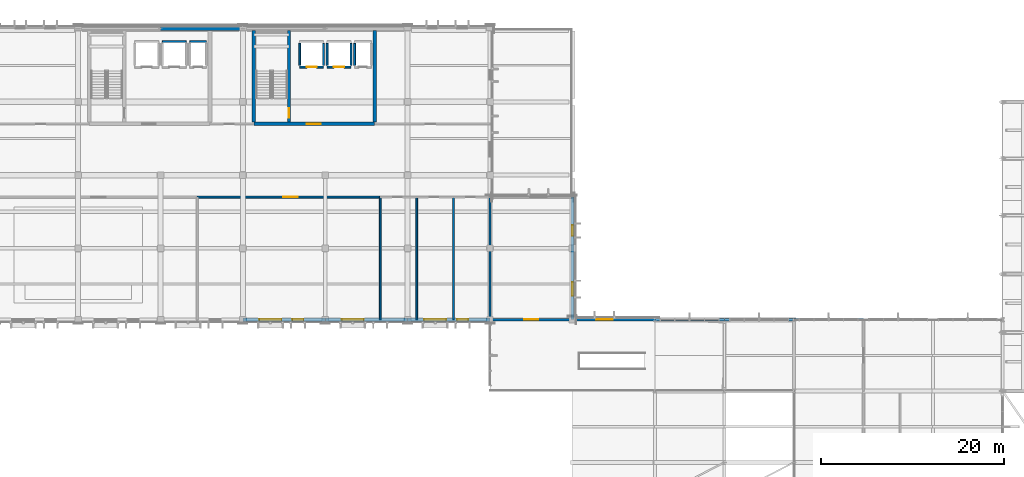
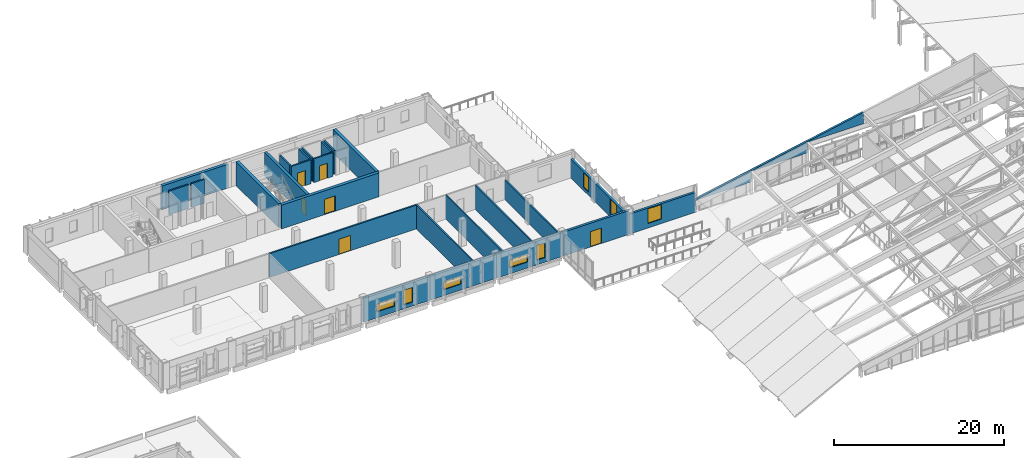
# One storey, part 53 of 73: 28 walls, 8 windows, 6 doors, 14 openings.
"""IFC4 building model written with IfcOpenShell, lengths in metres."""

from ifc_helpers import new_model, si_unit, direction, frame, frame_2d, origin, place, context, subcontext, project, spatial, polyline, rectangle, outline, extrude, material, layer, layer_set, type_object, element, fill, save


model = new_model("IFC4")

# Units and contexts
model_context = context("Model", 3, precision=1e-05, world=origin(), true_north=direction((0.0, 1.0)))
body_context = subcontext(model_context, "Body", "Model", "MODEL_VIEW")
ifc_project = project(units=[si_unit("LENGTHUNIT", "METRE"), si_unit("AREAUNIT", "SQUARE_METRE"), si_unit("VOLUMEUNIT", "CUBIC_METRE"), si_unit("PLANEANGLEUNIT", "RADIAN"), si_unit("MASSUNIT", "GRAM", prefix="KILO")], contexts=[model_context])

# Site, building, storey
site_placement = place(None, origin())
site = spatial("IfcSite", under=ifc_project, at=site_placement, CompositionType="ELEMENT")
building_placement = place(site_placement, origin())
building = spatial("IfcBuilding", under=site, at=building_placement, Name="Vervanel Yard Central Library", CompositionType="ELEMENT")
storey_placement = place(building_placement, frame((0.0, 0.0, 12.780029296875)))
storey = spatial("IfcBuildingStorey", under=building, at=storey_placement, Name="L03", CompositionType="ELEMENT", Elevation=12.780029296875)

# Walls
ifc_material_1 = material(Name="Concrete C40/50", Category="concrete")
ifc_layer_1 = layer(ifc_material_1, 0.280029296875, Category="concrete")
ifc_layer_set_1 = layer_set([ifc_layer_1], Name="Concrete C40/50")
wall_type_1 = type_object("IfcWallType", Name="Board-Marked Concrete Spandrel Wall 280", PredefinedType="SOLIDWALL", material=ifc_layer_set_1)
wall_1_placement = place(storey_placement, frame((108.0, 82.199951171875, 1.679931640625), z_axis=(0.0, 0.0, 1.0), x_axis=(1.0, 0.0, 0.0)))
element("IfcWall", 1, at=wall_1_placement, inside=storey, type_object=wall_type_1, Name="L03 Board-Marked Concrete Spandrel Wall 280 EWALL-L03-0171", PredefinedType="SOLIDWALL", context=body_context, shape_type="SweptSolid", body=[
    extrude(outline(polyline([(0.0, 0.0), (7.60009765625, 0.0), (7.60009765625, 1.6171875), (0.0, 0.10009765625), (0.0, 0.0)])), frame((0.0, 0.14013671875, 0.0), z_axis=(0.0, -1.0, 0.0), x_axis=(1.0, 0.0, 0.0)), (0.0, 0.0, 1.0), 0.280029296875),
])
wall_2_placement = place(storey_placement, frame((115.60009765625, 82.199951171875, 3.197021484375), z_axis=(0.0, 0.0, 1.0), x_axis=(1.0, 0.0, 0.0)))
element("IfcWall", 2, at=wall_2_placement, inside=storey, type_object=wall_type_1, Name="L03 Board-Marked Concrete Spandrel Wall 280 EWALL-L03-0172", PredefinedType="SOLIDWALL", context=body_context, shape_type="SweptSolid", body=[
    extrude(outline(polyline([(0.0, 0.0), (7.599853515625, 0.0), (7.60009765625, 1.616943359375), (0.0, 0.10009765625), (0.0, 0.0)])), frame((0.0, 0.14013671875, 0.0), z_axis=(0.0, -1.0, 0.0), x_axis=(1.0, 0.0, 0.0)), (0.0, 0.0, 1.0), 0.280029296875),
])
wall_3_placement = place(storey_placement, frame((123.199951171875, 82.199951171875, 4.714111328125), z_axis=(0.0, 0.0, 1.0), x_axis=(1.0, 0.0, 0.0)))
element("IfcWall", 3, at=wall_3_placement, inside=storey, type_object=wall_type_1, Name="L03 Board-Marked Concrete Spandrel Wall 280 EWALL-L03-0173", PredefinedType="SOLIDWALL", context=body_context, shape_type="SweptSolid", body=[
    extrude(outline(polyline([(0.0, 0.0), (7.60009765625, 0.0), (7.60009765625, 1.616943359375), (0.0, 0.099853515625), (0.0, 0.0)])), frame((0.0, 0.14013671875, 0.0), z_axis=(0.0, -1.0, 0.0), x_axis=(1.0, 0.0, 0.0)), (0.0, 0.0, 1.0), 0.280029296875),
])

# Wall, openings, windows
ifc_material_2 = material(Name="Precast concrete C45/55", Category="concrete")
ifc_layer_2 = layer(ifc_material_2, 0.300048828125, Category="concrete")
ifc_layer_set_2 = layer_set([ifc_layer_2], Name="Precast concrete C45/55")
wall_type_2 = type_object("IfcWallType", Name="Bush-Hammered Precast Cladding Wall 300", PredefinedType="SOLIDWALL", material=ifc_layer_set_2)
wall_4_placement = place(storey_placement, frame((99.0, 82.199951171875, 0.0), z_axis=(0.0, 0.0, 1.0), x_axis=(0.0, 1.0, 0.0)))
wall_4 = element("IfcWall", 4, at=wall_4_placement, inside=storey, type_object=wall_type_2, Name="L03 Bush-Hammered Precast Cladding Wall 300 EWALL-L03-0057", PredefinedType="SOLIDWALL", context=body_context, shape_type="SweptSolid", body=[
    extrude(rectangle(XDim=13.400146484375, YDim=0.300048828125, at=frame_2d((6.7001953125, 0.0))), origin(), (0.0, 0.0, 1.0), 2.68505859375),
])
opening_1_placement = place(wall_4_placement, frame((2.60009765625, 0.0, 0.465087890625)))
opening_1 = element("IfcOpeningElement", 5, at=opening_1_placement, cuts=wall_4, Name="Opening WN-02", PredefinedType="OPENING", context=body_context, shape_type="SweptSolid", body=[
    extrude(rectangle(XDim=1.5, YDim=2.10009765625, at=frame_2d((0.75, 1.050048828125))), frame((0.0, 0.159912109375, 0.0), z_axis=(0.0, -1.0, 0.0), x_axis=(1.0, 0.0, 0.0)), (0.0, 0.0, 1.0), 0.320068359375),
])
opening_2_placement = place(wall_4_placement, frame((9.14990234375, 0.0, 0.465087890625)))
opening_2 = element("IfcOpeningElement", 6, at=opening_2_placement, cuts=wall_4, Name="Opening WN-01", PredefinedType="OPENING", context=body_context, shape_type="SweptSolid", body=[
    extrude(rectangle(XDim=1.199951171875, YDim=2.10009765625, at=frame_2d((0.60009765625, 1.050048828125))), frame((0.0, 0.159912109375, 0.0), z_axis=(0.0, -1.0, 0.0), x_axis=(1.0, 0.0, 0.0)), (0.0, 0.0, 1.0), 0.320068359375),
])
ifc_material_3 = material(Name="Double low-E laminated solar-control glass", Category="glass")
window_type_1 = type_object("IfcWindowType", Name="Reading Bay Window 1500x2100", PartitioningType="SINGLE_PANEL", PredefinedType="WINDOW", material=ifc_material_3)
window_1_placement = place(opening_1_placement, origin())
window_1 = element("IfcWindow", 7, at=window_1_placement, inside=storey, type_object=window_type_1, Name="L03 Reading Bay Window 1500x2100 81", OverallHeight=2.10009765625, OverallWidth=1.5, PartitioningType="SINGLE_PANEL", PredefinedType="WINDOW", context=body_context, shape_type="SweptSolid", body=[
    extrude(rectangle(XDim=1.5, YDim=2.10009765625, at=frame_2d((0.75, 1.050048828125))), frame((0.0, 0.030029296875, 0.0), z_axis=(0.0, -1.0, 0.0), x_axis=(1.0, 0.0, 0.0)), (0.0, 0.0, 1.0), 0.06005859375),
])
fill(opening_1, window_1)
window_type_2 = type_object("IfcWindowType", Name="Reading Slot Window 1200x2100", PartitioningType="SINGLE_PANEL", PredefinedType="WINDOW", material=ifc_material_3)
window_2_placement = place(opening_2_placement, origin())
window_2 = element("IfcWindow", 8, at=window_2_placement, inside=storey, type_object=window_type_2, Name="L03 Reading Slot Window 1200x2100 82", OverallHeight=2.10009765625, OverallWidth=1.199951171875, PartitioningType="SINGLE_PANEL", PredefinedType="WINDOW", context=body_context, shape_type="SweptSolid", body=[
    extrude(rectangle(XDim=1.199951171875, YDim=2.10009765625, at=frame_2d((0.60009765625, 1.050048828125))), frame((0.0, 0.030029296875, 0.0), z_axis=(0.0, -1.0, 0.0), x_axis=(1.0, 0.0, 0.0)), (0.0, 0.0, 1.0), 0.06005859375),
])
fill(opening_2, window_2)

# Wall, opening, window
wall_5_placement = place(storey_placement, frame((99.0, 82.199951171875, 0.0), z_axis=(0.0, 0.0, 1.0), x_axis=(1.0, 0.0, 0.0)))
wall_5 = element("IfcWall", 9, at=wall_5_placement, inside=storey, type_object=wall_type_2, Name="L03 Bush-Hammered Precast Cladding Wall 300 EWALL-L03-0170", PredefinedType="SOLIDWALL", context=body_context, shape_type="SweptSolid", body=[
    extrude(rectangle(XDim=9.0, YDim=0.300048828125, at=frame_2d((4.5, 0.0))), origin(), (0.0, 0.0, 1.0), 2.852783203125),
])
opening_3_placement = place(wall_5_placement, frame((2.60009765625, 0.0, 0.633056640625)))
opening_3 = element("IfcOpeningElement", 10, at=opening_3_placement, cuts=wall_5, Name="Opening WN-03", PredefinedType="OPENING", context=body_context, shape_type="SweptSolid", body=[
    extrude(rectangle(XDim=1.800048828125, YDim=2.10009765625, at=frame_2d((0.89990234375, 1.050048828125))), frame((0.0, 0.159912109375, 0.0), z_axis=(0.0, -1.0, 0.0), x_axis=(1.0, 0.0, 0.0)), (0.0, 0.0, 1.0), 0.320068359375),
])
window_type_3 = type_object("IfcWindowType", Name="Reading Wide Window 1800x2100", PartitioningType="SINGLE_PANEL", PredefinedType="WINDOW", material=ifc_material_3)
window_3_placement = place(opening_3_placement, origin())
window_3 = element("IfcWindow", 11, at=window_3_placement, inside=storey, type_object=window_type_3, Name="L03 Reading Wide Window 1800x2100 216", OverallHeight=2.10009765625, OverallWidth=1.800048828125, PartitioningType="SINGLE_PANEL", PredefinedType="WINDOW", context=body_context, shape_type="SweptSolid", body=[
    extrude(rectangle(XDim=1.800048828125, YDim=2.10009765625, at=frame_2d((0.89990234375, 1.050048828125))), frame((0.0, 0.030029296875, 0.0), z_axis=(0.0, -1.0, 0.0), x_axis=(1.0, 0.0, 0.0)), (0.0, 0.0, 1.0), 0.06005859375),
])
fill(opening_3, window_3)

# Wall, opening, door
ifc_material_4 = material(Name="Concrete C45/55", Category="concrete")
ifc_layer_3 = layer(ifc_material_4, 0.39990234375, Category="concrete")
ifc_layer_set_3 = layer_set([ifc_layer_3], Name="Concrete C45/55")
wall_type_3 = type_object("IfcWallType", Name="Core Primary Shear Wall 400", PredefinedType="SHEAR", material=ifc_layer_set_3)
wall_6_placement = place(storey_placement, frame((64.199951171875, 103.60009765625, 0.0), z_axis=(0.0, 0.0, 1.0), x_axis=(1.0, 0.0, 0.0)))
wall_6 = element("IfcWall", 12, at=wall_6_placement, inside=storey, type_object=wall_type_3, Name="L03 CORE-B Shear Wall S", PredefinedType="SHEAR", context=body_context, shape_type="SweptSolid", body=[
    extrude(rectangle(XDim=13.199951171875, YDim=0.39990234375, at=frame_2d((6.60009765625, 0.0))), origin(), (0.0, 0.0, 1.0), 3.419921875),
])
opening_4_placement = place(wall_6_placement, frame((5.800048828125, 0.0, 0.0)))
opening_4 = element("IfcOpeningElement", 13, at=opening_4_placement, cuts=wall_6, Name="Opening DR-F02", PredefinedType="OPENING", context=body_context, shape_type="SweptSolid", body=[
    extrude(rectangle(XDim=1.5, YDim=2.199951171875, at=frame_2d((0.75, 1.10009765625))), frame((0.0, 0.2099609375, 0.0), z_axis=(0.0, -1.0, 0.0), x_axis=(1.0, 0.0, 0.0)), (0.0, 0.0, 1.0), 0.419921875),
])
ifc_material_5 = material(Name="Galvanized painted steelwork ASTM A500 Grade C", Category="steel")
door_type_1 = type_object("IfcDoorType", Name="Fire-Rated Lobby Door 1500x2200", OperationType="NOTDEFINED", PredefinedType="DOOR", material=ifc_material_5)
door_1_placement = place(opening_4_placement, origin())
door_1 = element("IfcDoor", 14, at=door_1_placement, inside=storey, type_object=door_type_1, Name="L03 CORE-B Lobby Fire Door", OperationType="DOUBLE_DOOR_SINGLE_SWING", OverallHeight=2.199951171875, OverallWidth=1.5, PredefinedType="DOOR", context=body_context, shape_type="SweptSolid", body=[
    extrude(rectangle(XDim=1.5, YDim=2.199951171875, at=frame_2d((0.75, 1.10009765625))), frame((0.0, 0.02490234375, 0.0), z_axis=(0.0, -1.0, 0.0), x_axis=(1.0, 0.0, 0.0)), (0.0, 0.0, 1.0), 0.050048828125),
])
fill(opening_4, door_1)

# Walls
for number, where, z_axis, x_axis, name in (
    (15, (64.199951171875, 103.800048828125, 0.0), (0.0, 0.0, 1.0), (0.0, 1.0, 0.0), "L03 CORE-B Shear Wall W"),
    (16, (77.39990234375, 103.800048828125, 0.0), (0.0, 0.0, 1.0), (0.0, 1.0, 0.0), "L03 CORE-B Shear Wall E"),
):
    element("IfcWall", number, at=place(storey_placement, frame(where, z_axis=z_axis, x_axis=x_axis)), inside=storey, type_object=wall_type_3, Name=name, PredefinedType="SHEAR", context=body_context, shape_type="SweptSolid", body=[
        extrude(rectangle(XDim=10.010009765625, YDim=0.39990234375, at=frame_2d((5.0048828125, 0.0))), origin(), (0.0, 0.0, 1.0), 3.419921875),
    ])

# Wall, opening, door
ifc_layer_4 = layer(ifc_material_4, 0.35009765625, Category="concrete")
ifc_layer_set_4 = layer_set([ifc_layer_4], Name="Concrete C45/55")
wall_type_4 = type_object("IfcWallType", Name="Core Secondary Shear Wall 350", PredefinedType="SHEAR", material=ifc_layer_set_4)
wall_7_placement = place(storey_placement, frame((68.02490234375, 103.800048828125, 0.0), z_axis=(0.0, 0.0, 1.0), x_axis=(0.0, 1.0, 0.0)))
wall_7 = element("IfcWall", 17, at=wall_7_placement, inside=storey, type_object=wall_type_4, Name="L03 CORE-B Stair Shaft Wall", PredefinedType="SHEAR", context=body_context, shape_type="SweptSolid", body=[
    extrude(rectangle(XDim=10.010009765625, YDim=0.35009765625, at=frame_2d((5.0048828125, 0.0))), origin(), (0.0, 0.0, 1.0), 3.419921875),
])
opening_5_placement = place(wall_7_placement, frame((0.449951171875, 0.0, 0.0)))
opening_5 = element("IfcOpeningElement", 18, at=opening_5_placement, cuts=wall_7, Name="Opening DR-F01", PredefinedType="OPENING", context=body_context, shape_type="SweptSolid", body=[
    extrude(rectangle(XDim=1.050048828125, YDim=2.199951171875, at=frame_2d((0.52490234375, 1.10009765625))), frame((0.0, 0.18505859375, 0.0), z_axis=(0.0, -1.0, 0.0), x_axis=(1.0, 0.0, 0.0)), (0.0, 0.0, 1.0), 0.3701171875),
])
door_type_2 = type_object("IfcDoorType", Name="Fire-Rated Stair Exit Door 1050x2200", OperationType="NOTDEFINED", PredefinedType="DOOR", material=ifc_material_5)
door_2_placement = place(opening_5_placement, origin())
door_2 = element("IfcDoor", 19, at=door_2_placement, inside=storey, type_object=door_type_2, Name="L03 CORE-B Stair Door", OperationType="SINGLE_SWING_RIGHT", OverallHeight=2.199951171875, OverallWidth=1.050048828125, PredefinedType="DOOR", context=body_context, shape_type="SweptSolid", body=[
    extrude(rectangle(XDim=1.050048828125, YDim=2.199951171875, at=frame_2d((0.52490234375, 1.10009765625))), frame((0.0, 0.02490234375, 0.0), z_axis=(0.0, -1.0, 0.0), x_axis=(1.0, 0.0, 0.0)), (0.0, 0.0, 1.0), 0.050048828125),
])
fill(opening_5, door_2)

# Wall, openings, windows
ifc_layer_5 = layer(ifc_material_4, 0.340087890625, Category="concrete")
ifc_layer_set_5 = layer_set([ifc_layer_5], Name="Concrete C45/55")
wall_type_5 = type_object("IfcWallType", Name="Exterior Bearing Concrete Frame Wall 340", PredefinedType="SOLIDWALL", material=ifc_layer_set_5)
wall_8_placement = place(storey_placement, frame((63.0, 82.199951171875, 0.0), z_axis=(0.0, 0.0, 1.0), x_axis=(1.0, 0.0, 0.0)))
wall_8 = element("IfcWall", 20, at=wall_8_placement, inside=storey, type_object=wall_type_5, Name="L03 Exterior Bearing Concrete Frame Wall 340 EWALL-L03-0053", PredefinedType="SOLIDWALL", context=body_context, shape_type="SweptSolid", body=[
    extrude(rectangle(XDim=9.0, YDim=0.340087890625, at=frame_2d((4.5, 0.0))), origin(), (0.0, 0.0, 1.0), 3.419921875),
])
opening_6_placement = place(wall_8_placement, frame((1.800048828125, 0.0, 0.85009765625)))
opening_6 = element("IfcOpeningElement", 21, at=opening_6_placement, cuts=wall_8, Name="Opening WN-06", PredefinedType="OPENING", context=body_context, shape_type="SweptSolid", body=[
    extrude(rectangle(XDim=2.39990234375, YDim=1.10009765625, at=frame_2d((1.199951171875, 0.550048828125))), frame((0.0, 0.179931640625, 0.0), z_axis=(0.0, -1.0, 0.0), x_axis=(1.0, 0.0, 0.0)), (0.0, 0.0, 1.0), 0.360107421875),
])
opening_7_placement = place(wall_8_placement, frame((5.39990234375, 0.0, 0.574951171875)))
opening_7 = element("IfcOpeningElement", 22, at=opening_7_placement, cuts=wall_8, Name="Opening WN-01", PredefinedType="OPENING", context=body_context, shape_type="SweptSolid", body=[
    extrude(rectangle(XDim=1.199951171875, YDim=2.10009765625, at=frame_2d((0.60009765625, 1.050048828125))), frame((0.0, 0.179931640625, 0.0), z_axis=(0.0, -1.0, 0.0), x_axis=(1.0, 0.0, 0.0)), (0.0, 0.0, 1.0), 0.360107421875),
])
window_4_placement = place(opening_7_placement, origin())
window_4 = element("IfcWindow", 23, at=window_4_placement, inside=storey, type_object=window_type_2, Name="L03 Reading Slot Window 1200x2100 73", OverallHeight=2.10009765625, OverallWidth=1.199951171875, PartitioningType="SINGLE_PANEL", PredefinedType="WINDOW", context=body_context, shape_type="SweptSolid", body=[
    extrude(rectangle(XDim=1.199951171875, YDim=2.10009765625, at=frame_2d((0.60009765625, 1.050048828125))), frame((0.0, 0.030029296875, 0.0), z_axis=(0.0, -1.0, 0.0), x_axis=(1.0, 0.0, 0.0)), (0.0, 0.0, 1.0), 0.06005859375),
])
fill(opening_7, window_4)
window_type_4 = type_object("IfcWindowType", Name="Stack Clerestory Ribbon Window 2400x1100", PartitioningType="SINGLE_PANEL", PredefinedType="WINDOW", material=ifc_material_3)
window_5_placement = place(opening_6_placement, origin())
window_5 = element("IfcWindow", 24, at=window_5_placement, inside=storey, type_object=window_type_4, Name="L03 Stack Clerestory Ribbon Window 2400x1100 72", OverallHeight=1.10009765625, OverallWidth=2.39990234375, PartitioningType="SINGLE_PANEL", PredefinedType="WINDOW", context=body_context, shape_type="SweptSolid", body=[
    extrude(rectangle(XDim=2.39990234375, YDim=1.10009765625, at=frame_2d((1.199951171875, 0.550048828125))), frame((0.0, 0.030029296875, 0.0), z_axis=(0.0, -1.0, 0.0), x_axis=(1.0, 0.0, 0.0)), (0.0, 0.0, 1.0), 0.06005859375),
])
fill(opening_6, window_5)

# Wall, opening, window
wall_9_placement = place(storey_placement, frame((72.0, 82.199951171875, 0.0), z_axis=(0.0, 0.0, 1.0), x_axis=(1.0, 0.0, 0.0)))
wall_9 = element("IfcWall", 25, at=wall_9_placement, inside=storey, type_object=wall_type_5, Name="L03 Exterior Bearing Concrete Frame Wall 340 EWALL-L03-0054", PredefinedType="SOLIDWALL", context=body_context, shape_type="SweptSolid", body=[
    extrude(rectangle(XDim=9.0, YDim=0.340087890625, at=frame_2d((4.5, 0.0))), origin(), (0.0, 0.0, 1.0), 3.419921875),
])
opening_8_placement = place(wall_9_placement, frame((1.800048828125, 0.0, 0.85009765625)))
opening_8 = element("IfcOpeningElement", 26, at=opening_8_placement, cuts=wall_9, Name="Opening WN-06", PredefinedType="OPENING", context=body_context, shape_type="SweptSolid", body=[
    extrude(rectangle(XDim=2.39990234375, YDim=1.10009765625, at=frame_2d((1.199951171875, 0.550048828125))), frame((0.0, 0.179931640625, 0.0), z_axis=(0.0, -1.0, 0.0), x_axis=(1.0, 0.0, 0.0)), (0.0, 0.0, 1.0), 0.360107421875),
])
window_6_placement = place(opening_8_placement, origin())
window_6 = element("IfcWindow", 27, at=window_6_placement, inside=storey, type_object=window_type_4, Name="L03 Stack Clerestory Ribbon Window 2400x1100 74", OverallHeight=1.10009765625, OverallWidth=2.39990234375, PartitioningType="SINGLE_PANEL", PredefinedType="WINDOW", context=body_context, shape_type="SweptSolid", body=[
    extrude(rectangle(XDim=2.39990234375, YDim=1.10009765625, at=frame_2d((1.199951171875, 0.550048828125))), frame((0.0, 0.030029296875, 0.0), z_axis=(0.0, -1.0, 0.0), x_axis=(1.0, 0.0, 0.0)), (0.0, 0.0, 1.0), 0.06005859375),
])
fill(opening_8, window_6)

# Wall, openings, windows
wall_10_placement = place(storey_placement, frame((81.0, 82.199951171875, 0.0), z_axis=(0.0, 0.0, 1.0), x_axis=(1.0, 0.0, 0.0)))
wall_10 = element("IfcWall", 28, at=wall_10_placement, inside=storey, type_object=wall_type_5, Name="L03 Exterior Bearing Concrete Frame Wall 340 EWALL-L03-0055", PredefinedType="SOLIDWALL", context=body_context, shape_type="SweptSolid", body=[
    extrude(rectangle(XDim=9.0, YDim=0.340087890625, at=frame_2d((4.5, 0.0))), origin(), (0.0, 0.0, 1.0), 3.419921875),
])
opening_9_placement = place(wall_10_placement, frame((1.800048828125, 0.0, 0.85009765625)))
opening_9 = element("IfcOpeningElement", 29, at=opening_9_placement, cuts=wall_10, Name="Opening WN-06", PredefinedType="OPENING", context=body_context, shape_type="SweptSolid", body=[
    extrude(rectangle(XDim=2.39990234375, YDim=1.10009765625, at=frame_2d((1.199951171875, 0.550048828125))), frame((0.0, 0.179931640625, 0.0), z_axis=(0.0, -1.0, 0.0), x_axis=(1.0, 0.0, 0.0)), (0.0, 0.0, 1.0), 0.360107421875),
])
opening_10_placement = place(wall_10_placement, frame((5.39990234375, 0.0, 0.6650390625)))
opening_10 = element("IfcOpeningElement", 30, at=opening_10_placement, cuts=wall_10, Name="Opening WN-01", PredefinedType="OPENING", context=body_context, shape_type="SweptSolid", body=[
    extrude(rectangle(XDim=1.199951171875, YDim=2.10009765625, at=frame_2d((0.60009765625, 1.050048828125))), frame((0.0, 0.179931640625, 0.0), z_axis=(0.0, -1.0, 0.0), x_axis=(1.0, 0.0, 0.0)), (0.0, 0.0, 1.0), 0.360107421875),
])
window_7_placement = place(opening_10_placement, origin())
window_7 = element("IfcWindow", 31, at=window_7_placement, inside=storey, type_object=window_type_2, Name="L03 Reading Slot Window 1200x2100 77", OverallHeight=2.10009765625, OverallWidth=1.199951171875, PartitioningType="SINGLE_PANEL", PredefinedType="WINDOW", context=body_context, shape_type="SweptSolid", body=[
    extrude(rectangle(XDim=1.199951171875, YDim=2.10009765625, at=frame_2d((0.60009765625, 1.050048828125))), frame((0.0, 0.030029296875, 0.0), z_axis=(0.0, -1.0, 0.0), x_axis=(1.0, 0.0, 0.0)), (0.0, 0.0, 1.0), 0.06005859375),
])
fill(opening_10, window_7)
window_8_placement = place(opening_9_placement, origin())
window_8 = element("IfcWindow", 32, at=window_8_placement, inside=storey, type_object=window_type_4, Name="L03 Stack Clerestory Ribbon Window 2400x1100 76", OverallHeight=1.10009765625, OverallWidth=2.39990234375, PartitioningType="SINGLE_PANEL", PredefinedType="WINDOW", context=body_context, shape_type="SweptSolid", body=[
    extrude(rectangle(XDim=2.39990234375, YDim=1.10009765625, at=frame_2d((1.199951171875, 0.550048828125))), frame((0.0, 0.030029296875, 0.0), z_axis=(0.0, -1.0, 0.0), x_axis=(1.0, 0.0, 0.0)), (0.0, 0.0, 1.0), 0.06005859375),
])
fill(opening_9, window_8)

# Walls
ifc_layer_6 = layer(ifc_material_4, 0.3798828125, Category="concrete")
ifc_layer_set_6 = layer_set([ifc_layer_6], Name="Concrete C45/55")
wall_type_6 = type_object("IfcWallType", Name="Exterior Bearing Concrete Spine Wall 380", PredefinedType="SOLIDWALL", material=ifc_layer_set_6)
wall_11_placement = place(storey_placement, frame((54.0, 114.0, 0.0), z_axis=(0.0, 0.0, 1.0), x_axis=(1.0, 0.0, 0.0)))
element("IfcWall", 33, at=wall_11_placement, inside=storey, type_object=wall_type_6, Name="L03 Exterior Bearing Concrete Spine Wall 380 EWALL-L03-0046", PredefinedType="SOLIDWALL", context=body_context, shape_type="SweptSolid", body=[
    extrude(rectangle(XDim=9.0, YDim=0.3798828125, at=frame_2d((4.5, 0.0))), origin(), (0.0, 0.0, 1.0), 3.419921875),
])
ifc_material_6 = material(Name="Fire-rated gypsum board on steel studs", Category="steel")
ifc_layer_7 = layer(ifc_material_6, 0.179931640625, Category="steel")
ifc_layer_set_7 = layer_set([ifc_layer_7], Name="Fire-rated gypsum board on steel studs")
wall_type_7 = type_object("IfcWallType", Name="Plumbing Chase Wall 180", PredefinedType="PLUMBINGWALL", material=ifc_layer_set_7)
for number, where, z_axis, x_axis, name in (
    (34, (78.0, 82.199951171875, 0.0), (0.0, 0.0, 1.0), (0.0, 1.0, 0.0), "L03 Plumbing Chase Wall 180 IPART-L03-0096"),
    (35, (82.0, 82.199951171875, 0.0), (0.0, 0.0, 1.0), (0.0, 1.0, 0.0), "L03 Plumbing Chase Wall 180 IPART-L03-0098"),
    (36, (86.0, 82.199951171875, 0.0), (0.0, 0.0, 1.0), (0.0, 1.0, 0.0), "L03 Plumbing Chase Wall 180 IPART-L03-0100"),
):
    element("IfcWall", number, at=place(storey_placement, frame(where, z_axis=z_axis, x_axis=x_axis)), inside=storey, type_object=wall_type_7, Name=name, PredefinedType="PLUMBINGWALL", context=body_context, shape_type="SweptSolid", body=[
        extrude(rectangle(XDim=13.400146484375, YDim=0.179931640625, at=frame_2d((6.7001953125, 0.0))), origin(), (0.0, 0.0, 1.0), 3.419921875),
    ])
wall_12_placement = place(storey_placement, frame((90.0, 82.199951171875, 0.0), z_axis=(0.0, 0.0, 1.0), x_axis=(0.0, 1.0, 0.0)))
element("IfcWall", 37, at=wall_12_placement, inside=storey, type_object=wall_type_7, Name="L03 Plumbing Chase Wall 180 IPART-RC2-L03-WCA-E", PredefinedType="PLUMBINGWALL", context=body_context, shape_type="SweptSolid", body=[
    extrude(rectangle(XDim=13.400146484375, YDim=0.179931640625, at=frame_2d((6.7001953125, 0.0))), origin(), (0.0, 0.0, 1.0), 2.804931640625),
])
ifc_layer_8 = layer(ifc_material_1, 0.199951171875, Category="concrete")
ifc_layer_set_8 = layer_set([ifc_layer_8], Name="Concrete C40/50")
wall_type_8 = type_object("IfcWallType", Name="Shaft & Plant Rated Wall 200", PredefinedType="PARTITIONING", material=ifc_layer_set_8)
wall_13_placement = place(storey_placement, frame((54.199951171875, 112.60009765625, 0.0), z_axis=(0.0, 0.0, 1.0), x_axis=(1.0, 0.0, 0.0)))
element("IfcWall", 38, at=wall_13_placement, inside=storey, type_object=wall_type_8, Name="L03 CORE-A-L03-EL-02 Shaft Wall N", PredefinedType="PARTITIONING", context=body_context, shape_type="SweptSolid", body=[
    extrude(rectangle(XDim=2.60009765625, YDim=0.199951171875, at=frame_2d((1.300048828125, 0.0))), origin(), (0.0, 0.0, 1.0), 3.419921875),
])
wall_14_placement = place(storey_placement, frame((57.199951171875, 112.60009765625, 0.0), z_axis=(0.0, 0.0, 1.0), x_axis=(1.0, 0.0, 0.0)))
element("IfcWall", 39, at=wall_14_placement, inside=storey, type_object=wall_type_8, Name="L03 CORE-A-L03-RIS Shaft Wall N", PredefinedType="PARTITIONING", context=body_context, shape_type="SweptSolid", body=[
    extrude(rectangle(XDim=1.800048828125, YDim=0.199951171875, at=frame_2d((0.89990234375, 0.0))), origin(), (0.0, 0.0, 1.0), 3.419921875),
])

# Wall, opening, door
wall_15_placement = place(storey_placement, frame((69.199951171875, 109.800048828125, 0.0), z_axis=(0.0, 0.0, 1.0), x_axis=(1.0, 0.0, 0.0)))
wall_15 = element("IfcWall", 40, at=wall_15_placement, inside=storey, type_object=wall_type_8, Name="L03 CORE-B-L03-EL-03 Shaft Wall S", PredefinedType="PARTITIONING", context=body_context, shape_type="SweptSolid", body=[
    extrude(rectangle(XDim=2.60009765625, YDim=0.199951171875, at=frame_2d((1.300048828125, 0.0))), origin(), (0.0, 0.0, 1.0), 3.419921875),
])
opening_11_placement = place(wall_15_placement, frame((0.75, 0.0, 0.0)))
opening_11 = element("IfcOpeningElement", 41, at=opening_11_placement, cuts=wall_15, Name="Opening LD-01", PredefinedType="OPENING", context=body_context, shape_type="SweptSolid", body=[
    extrude(rectangle(XDim=1.10009765625, YDim=2.14990234375, at=frame_2d((0.550048828125, 1.074951171875))), frame((0.0, 0.10986328125, 0.0), z_axis=(0.0, -1.0, 0.0), x_axis=(1.0, 0.0, 0.0)), (0.0, 0.0, 1.0), 0.219970703125),
])
ifc_material_7 = material(Name="Brushed stainless steel AISI 316", Category="steel")
door_type_3 = type_object("IfcDoorType", Name="Passenger Lift Sliding Landing Door 1100x2150", OperationType="NOTDEFINED", PredefinedType="DOOR", material=ifc_material_7)
door_3_placement = place(opening_11_placement, origin())
door_3 = element("IfcDoor", 42, at=door_3_placement, inside=storey, type_object=door_type_3, Name="L03 Lift EL-03 Landing Door", OperationType="SLIDING_TO_LEFT", OverallHeight=2.14990234375, OverallWidth=1.10009765625, PredefinedType="DOOR", context=body_context, shape_type="SweptSolid", body=[
    extrude(rectangle(XDim=1.10009765625, YDim=2.14990234375, at=frame_2d((0.550048828125, 1.074951171875))), frame((0.0, 0.02490234375, 0.0), z_axis=(0.0, -1.0, 0.0), x_axis=(1.0, 0.0, 0.0)), (0.0, 0.0, 1.0), 0.050048828125),
])
fill(opening_11, door_3)

# Walls
for number, where, z_axis, x_axis, name in (
    (43, (69.199951171875, 110.0, 0.0), (0.0, 0.0, 1.0), (0.0, 1.0, 0.0), "L03 CORE-B-L03-EL-03 Shaft Wall W"),
    (44, (71.800048828125, 110.0, 0.0), (0.0, 0.0, 1.0), (0.0, 1.0, 0.0), "L03 CORE-B-L03-EL-03 Shaft Wall E"),
):
    element("IfcWall", number, at=place(storey_placement, frame(where, z_axis=z_axis, x_axis=x_axis)), inside=storey, type_object=wall_type_8, Name=name, PredefinedType="PARTITIONING", context=body_context, shape_type="SweptSolid", body=[
        extrude(rectangle(XDim=2.39990234375, YDim=0.199951171875, at=frame_2d((1.199951171875, 0.0))), origin(), (0.0, 0.0, 1.0), 3.419921875),
    ])

# Wall, opening, door
wall_16_placement = place(storey_placement, frame((72.199951171875, 109.800048828125, 0.0), z_axis=(0.0, 0.0, 1.0), x_axis=(1.0, 0.0, 0.0)))
wall_16 = element("IfcWall", 45, at=wall_16_placement, inside=storey, type_object=wall_type_8, Name="L03 CORE-B-L03-EL-04 Shaft Wall S", PredefinedType="PARTITIONING", context=body_context, shape_type="SweptSolid", body=[
    extrude(rectangle(XDim=2.60009765625, YDim=0.199951171875, at=frame_2d((1.300048828125, 0.0))), origin(), (0.0, 0.0, 1.0), 3.419921875),
])
opening_12_placement = place(wall_16_placement, frame((0.75, 0.0, 0.0)))
opening_12 = element("IfcOpeningElement", 46, at=opening_12_placement, cuts=wall_16, Name="Opening LD-01", PredefinedType="OPENING", context=body_context, shape_type="SweptSolid", body=[
    extrude(rectangle(XDim=1.10009765625, YDim=2.14990234375, at=frame_2d((0.550048828125, 1.074951171875))), frame((0.0, 0.10986328125, 0.0), z_axis=(0.0, -1.0, 0.0), x_axis=(1.0, 0.0, 0.0)), (0.0, 0.0, 1.0), 0.219970703125),
])
door_4_placement = place(opening_12_placement, origin())
door_4 = element("IfcDoor", 47, at=door_4_placement, inside=storey, type_object=door_type_3, Name="L03 Lift EL-04 Landing Door", OperationType="SLIDING_TO_RIGHT", OverallHeight=2.14990234375, OverallWidth=1.10009765625, PredefinedType="DOOR", context=body_context, shape_type="SweptSolid", body=[
    extrude(rectangle(XDim=1.10009765625, YDim=2.14990234375, at=frame_2d((0.550048828125, 1.074951171875))), frame((0.0, 0.02490234375, 0.0), z_axis=(0.0, -1.0, 0.0), x_axis=(1.0, 0.0, 0.0)), (0.0, 0.0, 1.0), 0.050048828125),
])
fill(opening_12, door_4)

# Walls
for number, where, z_axis, x_axis, name in (
    (48, (72.199951171875, 110.0, 0.0), (0.0, 0.0, 1.0), (0.0, 1.0, 0.0), "L03 CORE-B-L03-EL-04 Shaft Wall W"),
    (49, (74.800048828125, 110.0, 0.0), (0.0, 0.0, 1.0), (0.0, 1.0, 0.0), "L03 CORE-B-L03-EL-04 Shaft Wall E"),
    (50, (75.199951171875, 110.0, 0.0), (0.0, 0.0, 1.0), (0.0, 1.0, 0.0), "L03 CORE-B-L03-RIS Shaft Wall W"),
):
    element("IfcWall", number, at=place(storey_placement, frame(where, z_axis=z_axis, x_axis=x_axis)), inside=storey, type_object=wall_type_8, Name=name, PredefinedType="PARTITIONING", context=body_context, shape_type="SweptSolid", body=[
        extrude(rectangle(XDim=2.39990234375, YDim=0.199951171875, at=frame_2d((1.199951171875, 0.0))), origin(), (0.0, 0.0, 1.0), 3.419921875),
    ])

# Wall, opening, door
wall_17_placement = place(storey_placement, frame((58.0, 95.60009765625, 0.0), z_axis=(0.0, 0.0, 1.0), x_axis=(1.0, 0.0, 0.0)))
wall_17 = element("IfcWall", 51, at=wall_17_placement, inside=storey, type_object=wall_type_8, Name="L03 Shaft & Plant Rated Wall 200 IPART-L03-0093", PredefinedType="PARTITIONING", context=body_context, shape_type="SweptSolid", body=[
    extrude(rectangle(XDim=20.0, YDim=0.199951171875, at=frame_2d((10.0, 0.0))), origin(), (0.0, 0.0, 1.0), 3.419921875),
])
opening_13_placement = place(wall_17_placement, frame((9.39990234375, 0.0, 0.0)))
opening_13 = element("IfcOpeningElement", 52, at=opening_13_placement, cuts=wall_17, Name="Opening DR-F03", PredefinedType="OPENING", context=body_context, shape_type="SweptSolid", body=[
    extrude(rectangle(XDim=1.60009765625, YDim=2.199951171875, at=frame_2d((0.800048828125, 1.10009765625))), frame((0.0, 0.10986328125, 0.0), z_axis=(0.0, -1.0, 0.0), x_axis=(1.0, 0.0, 0.0)), (0.0, 0.0, 1.0), 0.219970703125),
])
door_type_4 = type_object("IfcDoorType", Name="Fire-Rated Plant Double Door 1600x2200", OperationType="NOTDEFINED", PredefinedType="DOOR", material=ifc_material_5)
door_5_placement = place(opening_13_placement, origin())
door_5 = element("IfcDoor", 53, at=door_5_placement, inside=storey, type_object=door_type_4, Name="L03 Fire-Rated Plant Double Door 1600x2200 IDOOR-L03-0074", OperationType="DOUBLE_DOOR_SINGLE_SWING", OverallHeight=2.199951171875, OverallWidth=1.60009765625, PredefinedType="DOOR", context=body_context, shape_type="SweptSolid", body=[
    extrude(rectangle(XDim=1.60009765625, YDim=2.199951171875, at=frame_2d((0.800048828125, 1.10009765625))), frame((0.0, 0.02490234375, 0.0), z_axis=(0.0, -1.0, 0.0), x_axis=(1.0, 0.0, 0.0)), (0.0, 0.0, 1.0), 0.050048828125),
])
fill(opening_13, door_5)

ifc_layer_9 = layer(ifc_material_4, 0.320068359375, Category="concrete")
ifc_layer_set_9 = layer_set([ifc_layer_9], Name="Concrete C45/55")
wall_type_9 = type_object("IfcWallType", Name="Spine Lateral Shear Wall 320", PredefinedType="SHEAR", material=ifc_layer_set_9)
wall_18_placement = place(storey_placement, frame((90.0, 82.199951171875, 0.0), z_axis=(0.0, 0.0, 1.0), x_axis=(1.0, 0.0, 0.0)))
wall_18 = element("IfcWall", 54, at=wall_18_placement, inside=storey, type_object=wall_type_9, Name="L03 V1-V3 Spine Shear Wall", PredefinedType="SHEAR", context=body_context, shape_type="SweptSolid", body=[
    extrude(rectangle(XDim=9.0, YDim=0.320068359375, at=frame_2d((4.5, 0.0))), origin(), (0.0, 0.0, 1.0), 3.419921875),
])
opening_14_placement = place(wall_18_placement, frame((3.75, 0.0, 0.0)))
opening_14 = element("IfcOpeningElement", 55, at=opening_14_placement, cuts=wall_18, Name="Opening DR-F02", PredefinedType="OPENING", context=body_context, shape_type="SweptSolid", body=[
    extrude(rectangle(XDim=1.5, YDim=2.199951171875, at=frame_2d((0.75, 1.10009765625))), frame((0.0, 0.169921875, 0.0), z_axis=(0.0, -1.0, 0.0), x_axis=(1.0, 0.0, 0.0)), (0.0, 0.0, 1.0), 0.340087890625),
])
door_6_placement = place(opening_14_placement, origin())
door_6 = element("IfcDoor", 56, at=door_6_placement, inside=storey, type_object=door_type_1, Name="L03 Spine-to-Reading-Hall Fire Door", OperationType="DOUBLE_DOOR_SINGLE_SWING", OverallHeight=2.199951171875, OverallWidth=1.5, PredefinedType="DOOR", context=body_context, shape_type="SweptSolid", body=[
    extrude(rectangle(XDim=1.5, YDim=2.199951171875, at=frame_2d((0.75, 1.10009765625))), frame((0.0, 0.02490234375, 0.0), z_axis=(0.0, -1.0, 0.0), x_axis=(1.0, 0.0, 0.0)), (0.0, 0.0, 1.0), 0.050048828125),
])
fill(opening_14, door_6)

save(model, "model.ifc")
